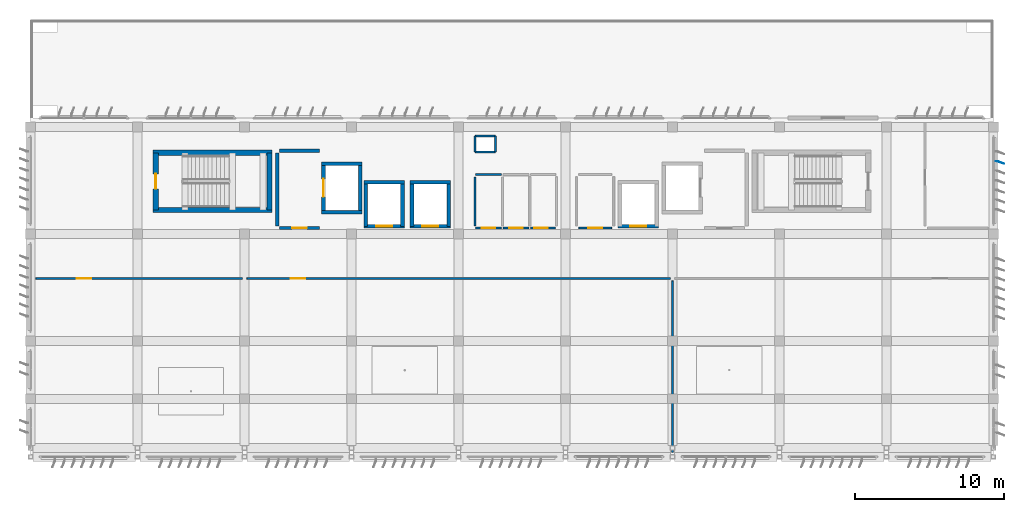
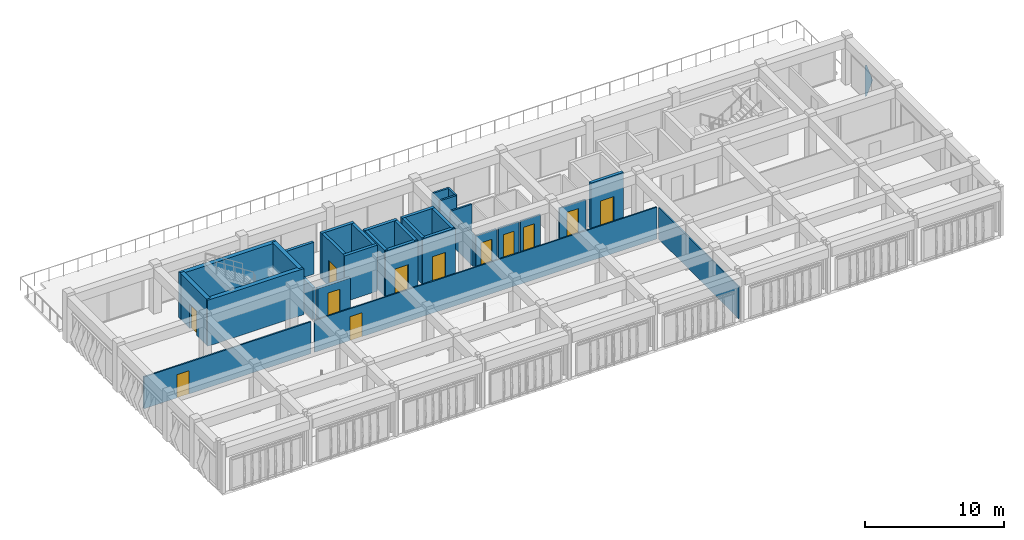
# One storey, part 29 of 42: 33 walls, 12 doors, 1 plate, 12 openings.
"""IFC4 building model written with IfcOpenShell, lengths in metres."""

from ifc_helpers import new_model, si_unit, direction, frame, frame_2d, origin, place, context, subcontext, project, spatial, rectangle, extrude, polygons, material, layer, layer_set, type_object, element, fill, save


model = new_model("IFC4")

# Units and contexts
model_context = context("Model", 3, precision=1e-05, world=origin(), true_north=direction((0.0, 1.0)))
body_context = subcontext(model_context, "Body", "Model", "MODEL_VIEW")
ifc_project = project(units=[si_unit("LENGTHUNIT", "METRE"), si_unit("AREAUNIT", "SQUARE_METRE"), si_unit("VOLUMEUNIT", "CUBIC_METRE"), si_unit("PLANEANGLEUNIT", "RADIAN"), si_unit("MASSUNIT", "GRAM", prefix="KILO")], contexts=[model_context])

# Site, building, storey
site_placement = place(None, origin())
site = spatial("IfcSite", under=ifc_project, at=site_placement, CompositionType="ELEMENT")
building_placement = place(site_placement, origin())
building = spatial("IfcBuilding", under=site, at=building_placement, Name="Kazehaya Institute of Natural Sciences", CompositionType="ELEMENT")
storey_placement = place(building_placement, frame((0.0, 0.0, 37.6201171875)))
storey = spatial("IfcBuildingStorey", under=building, at=storey_placement, Name="L08", CompositionType="ELEMENT", Elevation=37.6201171875)

# Plate
ifc_material_1 = material(Name="Bronze-anodised aluminium alloy A6063S-T5", Category="aluminium")
ifc_layer_1 = layer(ifc_material_1, 0.02001953125, Name="Bronze-anodised aluminium alloy A6063S-T5", Category="aluminium")
ifc_layer_set_1 = layer_set([ifc_layer_1], Name="Bronze-anodised aluminium alloy A6063S-T5")
plate_type = type_object("IfcPlateType", Name="FIN-DF-E1", PredefinedType="USERDEFINED", material=ifc_layer_set_1)
plate_placement = place(storey_placement, origin())
element("IfcPlate", 1, at=plate_placement, inside=storey, type_object=plate_type, Name="L08 folded diamond-pyramid shading fin FIN-L08-E-0835", ObjectType="SHADING_FIN", PredefinedType="USERDEFINED", context=body_context, shape_type="Tessellation", body=[
    polygons([(119.554931640625, 26.110107421875, 0.039794921875), (119.699951171875, 26.110107421875, 0.039794921875), (120.110107421875, 25.931396484375, 1.409912109375), (119.699951171875, 26.110107421875, 2.77978515625), (119.554931640625, 26.110107421875, 2.77978515625), (119.554931640625, 26.090087890625, 0.039794921875), (119.699951171875, 26.090087890625, 0.039794921875), (120.110107421875, 25.911376953125, 1.409912109375), (119.699951171875, 26.090087890625, 2.77978515625), (119.554931640625, 26.090087890625, 2.77978515625)], [[[1, 5, 4, 3, 2]], [[6, 7, 8, 9, 10]], [[1, 2, 7, 6]], [[2, 3, 8, 7]], [[3, 4, 9, 8]], [[4, 5, 10, 9]], [[5, 1, 6, 10]]], closed=True),
])

# Walls
ifc_material_2 = material(Name="Concrete Fc42", Category="concrete")
ifc_layer_2 = layer(ifc_material_2, 0.35009765625, Name="Concrete Fc42", Category="concrete")
ifc_layer_set_2 = layer_set([ifc_layer_2], Name="Concrete Fc42")
wall_type_1 = type_object("IfcWallType", Name="WL-CORE-350", PredefinedType="SHEAR", material=ifc_layer_set_2)
for number, where, z_axis, x_axis, name in (
    (2, (70.85498046875, 22.820068359375, 0.0), (0.0, 0.0, 1.0), (-1.0, 0.0, 0.0), "L08 ST-1 core wall S"),
    (3, (62.844970703125, 26.659912109375, 0.0), (0.0, 0.0, 1.0), (1.0, 0.0, 0.0), "L08 ST-1 core wall N"),
):
    element("IfcWall", number, at=place(storey_placement, frame(where, z_axis=z_axis, x_axis=x_axis)), inside=storey, type_object=wall_type_1, Name=name, PredefinedType="SHEAR", context=body_context, shape_type="SweptSolid", body=[
        extrude(rectangle(XDim=8.010009765625, YDim=0.35009765625, at=frame_2d((4.0048828125, 0.0))), origin(), (0.0, 0.0, 1.0), 4.0498046875),
    ])

# Wall, opening, door
wall_1_placement = place(storey_placement, frame((63.02001953125, 22.820068359375, 0.0), z_axis=(0.0, 0.0, 1.0), x_axis=(0.0, 1.0, 0.0)))
wall_1 = element("IfcWall", 4, at=wall_1_placement, inside=storey, type_object=wall_type_1, Name="L08 ST-1 core wall W", PredefinedType="SHEAR", context=body_context, shape_type="SweptSolid", body=[
    extrude(rectangle(XDim=3.83984375, YDim=0.35009765625, at=frame_2d((1.919921875, 0.0))), origin(), (0.0, 0.0, 1.0), 4.0498046875),
])
opening_1_placement = place(wall_1_placement, frame((1.409912109375, 0.0, 0.0)))
opening_1 = element("IfcOpeningElement", 5, at=opening_1_placement, cuts=wall_1, Name="Opening D-ST-010", PredefinedType="OPENING", context=body_context, shape_type="SweptSolid", body=[
    extrude(rectangle(XDim=1.02001953125, YDim=2.1201171875, at=frame_2d((0.510009765625, 1.06005859375))), frame((0.0, 0.18505859375, 0.0), z_axis=(0.0, -1.0, 0.0), x_axis=(1.0, 0.0, 0.0)), (0.0, 0.0, 1.0), 0.3701171875),
])
ifc_material_3 = material(Name="Fire-rated steel acoustic door", Category="steel")
door_type_1 = type_object("IfcDoorType", Name="DT-FD-11", OperationType="NOTDEFINED", PredefinedType="DOOR", material=ifc_material_3)
door_1_placement = place(opening_1_placement, origin())
door_1 = element("IfcDoor", 6, at=door_1_placement, inside=storey, type_object=door_type_1, Name="L08 ST-1 stair enclosure door D-ST-010", OperationType="SINGLE_SWING_RIGHT", OverallHeight=2.1201171875, OverallWidth=1.02001953125, PredefinedType="DOOR", context=body_context, shape_type="SweptSolid", body=[
    extrude(rectangle(XDim=1.02001953125, YDim=2.1201171875, at=frame_2d((0.510009765625, 1.06005859375))), frame((0.0, 0.02490234375, 0.0), z_axis=(0.0, -1.0, 0.0), x_axis=(1.0, 0.0, 0.0)), (0.0, 0.0, 1.0), 0.050048828125),
])
fill(opening_1, door_1)

# Wall
wall_2_placement = place(storey_placement, frame((70.679931640625, 26.659912109375, 0.0), z_axis=(0.0, 0.0, 1.0), x_axis=(0.0, -1.0, 0.0)))
element("IfcWall", 7, at=wall_2_placement, inside=storey, type_object=wall_type_1, Name="L08 ST-1 core wall E", PredefinedType="SHEAR", context=body_context, shape_type="SweptSolid", body=[
    extrude(rectangle(XDim=3.83984375, YDim=0.35009765625, at=frame_2d((1.919921875, 0.0))), origin(), (0.0, 0.0, 1.0), 4.0498046875),
])

# Wall, opening, door
ifc_material_4 = material(Name="Concrete Fc36", Category="concrete")
ifc_layer_3 = layer(ifc_material_4, 0.22998046875, Name="Concrete Fc36", Category="concrete")
ifc_layer_set_3 = layer_set([ifc_layer_3], Name="Concrete Fc36")
wall_type_2 = type_object("IfcWallType", Name="WL-FFL-230", PredefinedType="PARTITIONING", material=ifc_layer_set_3)
wall_3_placement = place(storey_placement, frame((74.050048828125, 21.60009765625, 0.0), z_axis=(0.0, 0.0, 1.0), x_axis=(-1.0, 0.0, 0.0)))
wall_3 = element("IfcWall", 8, at=wall_3_placement, inside=storey, type_object=wall_type_2, Name="L08 West Firefighting Lift Lobby partition IW-L08-0354", PredefinedType="PARTITIONING", context=body_context, shape_type="SweptSolid", body=[
    extrude(rectangle(XDim=2.699951171875, YDim=0.22998046875, at=frame_2d((1.35009765625, 0.0))), origin(), (0.0, 0.0, 1.0), 2.7998046875),
])
opening_2_placement = place(wall_3_placement, frame((0.860107421875, 0.0, 0.0)))
opening_2 = element("IfcOpeningElement", 9, at=opening_2_placement, cuts=wall_3, Name="Opening D-L08-0195", PredefinedType="OPENING", context=body_context, shape_type="SweptSolid", body=[
    extrude(rectangle(XDim=0.97998046875, YDim=2.1201171875, at=frame_2d((0.489990234375, 1.06005859375))), frame((0.0, 0.125, 0.0), z_axis=(0.0, -1.0, 0.0), x_axis=(1.0, 0.0, 0.0)), (0.0, 0.0, 1.0), 0.25),
])
door_type_2 = type_object("IfcDoorType", Name="DT-FD-08", OperationType="NOTDEFINED", PredefinedType="DOOR", material=ifc_material_3)
door_2_placement = place(opening_2_placement, origin())
door_2 = element("IfcDoor", 10, at=door_2_placement, inside=storey, type_object=door_type_2, Name="L08 West Firefighting Lift Lobby door D-L08-0195", OperationType="SINGLE_SWING_RIGHT", OverallHeight=2.1201171875, OverallWidth=0.97998046875, PredefinedType="DOOR", context=body_context, shape_type="SweptSolid", body=[
    extrude(rectangle(XDim=0.97998046875, YDim=2.1201171875, at=frame_2d((0.489990234375, 1.06005859375))), frame((0.0, 0.02490234375, 0.0), z_axis=(0.0, -1.0, 0.0), x_axis=(1.0, 0.0, 0.0)), (0.0, 0.0, 1.0), 0.050048828125),
])
fill(opening_2, door_2)

# Walls
wall_4_placement = place(storey_placement, frame((71.35009765625, 26.800048828125, 0.0), z_axis=(0.0, 0.0, 1.0), x_axis=(1.0, 0.0, 0.0)))
element("IfcWall", 11, at=wall_4_placement, inside=storey, type_object=wall_type_2, Name="L08 West Firefighting Lift Lobby partition IW-L08-0355", PredefinedType="PARTITIONING", context=body_context, shape_type="SweptSolid", body=[
    extrude(rectangle(XDim=2.699951171875, YDim=0.22998046875, at=frame_2d((1.35009765625, 0.0))), origin(), (0.0, 0.0, 1.0), 2.7998046875),
])
wall_5_placement = place(storey_placement, frame((71.199951171875, 21.75, 0.0), z_axis=(0.0, 0.0, 1.0), x_axis=(0.0, 1.0, 0.0)))
element("IfcWall", 12, at=wall_5_placement, inside=storey, type_object=wall_type_2, Name="L08 West Firefighting Lift Lobby partition IW-L08-0356", PredefinedType="PARTITIONING", context=body_context, shape_type="SweptSolid", body=[
    extrude(rectangle(XDim=4.89990234375, YDim=0.22998046875, at=frame_2d((2.449951171875, 0.0))), origin(), (0.0, 0.0, 1.0), 2.7998046875),
])

# Wall, opening, door
ifc_material_5 = material(Name="Glazed office demountable partition")
ifc_layer_4 = layer(ifc_material_5, 0.110107421875, Name="Glazed office demountable partition")
ifc_layer_set_4 = layer_set([ifc_layer_4], Name="Glazed office demountable partition")
wall_type_3 = type_object("IfcWallType", Name="WL-PART-110", PredefinedType="PARTITIONING", material=ifc_layer_set_4)
wall_6_placement = place(storey_placement, frame((93.699951171875, 21.60009765625, 0.0), z_axis=(0.0, 0.0, 1.0), x_axis=(-1.0, 0.0, 0.0)))
wall_6 = element("IfcWall", 13, at=wall_6_placement, inside=storey, type_object=wall_type_3, Name="L08 Ostomate WC partition IW-L08-0370", PredefinedType="PARTITIONING", context=body_context, shape_type="SweptSolid", body=[
    extrude(rectangle(XDim=2.199951171875, YDim=0.110107421875, at=frame_2d((1.10009765625, 0.0))), origin(), (0.0, 0.0, 1.0), 2.7998046875),
])
opening_3_placement = place(wall_6_placement, frame((0.6201171875, 0.0, 0.0)))
opening_3 = element("IfcOpeningElement", 14, at=opening_3_placement, cuts=wall_6, Name="Opening D-L08-0200", PredefinedType="OPENING", context=body_context, shape_type="SweptSolid", body=[
    extrude(rectangle(XDim=0.9599609375, YDim=2.219970703125, at=frame_2d((0.47998046875, 1.10986328125))), frame((0.0, 0.06494140625, 0.0), z_axis=(0.0, -1.0, 0.0), x_axis=(1.0, 0.0, 0.0)), (0.0, 0.0, 1.0), 0.130126953125),
])
ifc_material_6 = material(Name="Flush timber and aluminium laboratory door", Category="wood")
door_type_3 = type_object("IfcDoorType", Name="DT-INT-12", OperationType="NOTDEFINED", PredefinedType="DOOR", material=ifc_material_6)
door_3_placement = place(opening_3_placement, origin())
door_3 = element("IfcDoor", 15, at=door_3_placement, inside=storey, type_object=door_type_3, Name="L08 Ostomate WC door D-L08-0200", OperationType="SINGLE_SWING_LEFT", OverallHeight=2.219970703125, OverallWidth=0.9599609375, PredefinedType="DOOR", context=body_context, shape_type="SweptSolid", body=[
    extrude(rectangle(XDim=0.9599609375, YDim=2.219970703125, at=frame_2d((0.47998046875, 1.10986328125))), frame((0.0, 0.02490234375, 0.0), z_axis=(0.0, -1.0, 0.0), x_axis=(1.0, 0.0, 0.0)), (0.0, 0.0, 1.0), 0.050048828125),
])
fill(opening_3, door_3)

wall_7_placement = place(storey_placement, frame((69.14990234375, 18.199951171875, 0.0), z_axis=(0.0, 0.0, 1.0), x_axis=(1.0, 0.0, 0.0)))
wall_7 = element("IfcWall", 16, at=wall_7_placement, inside=storey, type_object=wall_type_3, Name="L08 Structural Biology Suite partition IW-L08-0375", PredefinedType="PARTITIONING", context=body_context, shape_type="SweptSolid", body=[
    extrude(rectangle(XDim=28.5, YDim=0.110107421875, at=frame_2d((14.25, 0.0))), origin(), (0.0, 0.0, 1.0), 2.7998046875),
])
opening_4_placement = place(wall_7_placement, frame((2.955078125, 0.0, 0.0)))
opening_4 = element("IfcOpeningElement", 17, at=opening_4_placement, cuts=wall_7, Name="Opening D-L08-0202", PredefinedType="OPENING", context=body_context, shape_type="SweptSolid", body=[
    extrude(rectangle(XDim=0.989990234375, YDim=2.10009765625, at=frame_2d((0.4951171875, 1.050048828125))), frame((0.0, 0.06494140625, 0.0), z_axis=(0.0, -1.0, 0.0), x_axis=(1.0, 0.0, 0.0)), (0.0, 0.0, 1.0), 0.130126953125),
])
door_type_4 = type_object("IfcDoorType", Name="DT-INT-14", OperationType="NOTDEFINED", PredefinedType="DOOR", material=ifc_material_6)
door_4_placement = place(opening_4_placement, origin())
door_4 = element("IfcDoor", 18, at=door_4_placement, inside=storey, type_object=door_type_4, Name="L08 Structural Biology Suite door D-L08-0202", OperationType="SINGLE_SWING_LEFT", OverallHeight=2.10009765625, OverallWidth=0.989990234375, PredefinedType="DOOR", context=body_context, shape_type="SweptSolid", body=[
    extrude(rectangle(XDim=0.989990234375, YDim=2.10009765625, at=frame_2d((0.4951171875, 1.050048828125))), frame((0.0, 0.02490234375, 0.0), z_axis=(0.0, -1.0, 0.0), x_axis=(1.0, 0.0, 0.0)), (0.0, 0.0, 1.0), 0.050048828125),
])
fill(opening_4, door_4)

# Wall
wall_8_placement = place(storey_placement, frame((97.800048828125, 18.050048828125, 0.0), z_axis=(0.0, 0.0, 1.0), x_axis=(0.0, -1.0, 0.0)))
element("IfcWall", 19, at=wall_8_placement, inside=storey, type_object=wall_type_3, Name="L08 Structural Biology Suite partition IW-L08-0376", PredefinedType="PARTITIONING", context=body_context, shape_type="SweptSolid", body=[
    extrude(rectangle(XDim=11.550048828125, YDim=0.110107421875, at=frame_2d((5.77490234375, 0.0))), origin(), (0.0, 0.0, 1.0), 2.7998046875),
])

# Wall, opening, door
ifc_material_7 = material(Name="Gypsum write-up office partition", Category="gypsum")
ifc_layer_5 = layer(ifc_material_7, 0.1201171875, Name="Gypsum write-up office partition", Category="gypsum")
ifc_layer_set_5 = layer_set([ifc_layer_5], Name="Gypsum write-up office partition")
wall_type_4 = type_object("IfcWallType", Name="WL-PART-120", PredefinedType="PARTITIONING", material=ifc_layer_set_5)
wall_9_placement = place(storey_placement, frame((89.93994140625, 21.60009765625, 0.0), z_axis=(0.0, 0.0, 1.0), x_axis=(-1.0, 0.0, 0.0)))
wall_9 = element("IfcWall", 20, at=wall_9_placement, inside=storey, type_object=wall_type_4, Name="L08 Accessible WC partition IW-L08-0367", PredefinedType="PARTITIONING", context=body_context, shape_type="SweptSolid", body=[
    extrude(rectangle(XDim=1.679931640625, YDim=0.1201171875, at=frame_2d((0.83984375, 0.0))), origin(), (0.0, 0.0, 1.0), 2.7998046875),
])
opening_5_placement = place(wall_9_placement, frame((0.5400390625, 0.0, 0.0)))
opening_5 = element("IfcOpeningElement", 21, at=opening_5_placement, cuts=wall_9, Name="Opening D-L08-0199", PredefinedType="OPENING", context=body_context, shape_type="SweptSolid", body=[
    extrude(rectangle(XDim=0.89990234375, YDim=2.159912109375, at=frame_2d((0.449951171875, 1.080078125))), frame((0.0, 0.070068359375, 0.0), z_axis=(0.0, -1.0, 0.0), x_axis=(1.0, 0.0, 0.0)), (0.0, 0.0, 1.0), 0.14013671875),
])
door_type_5 = type_object("IfcDoorType", Name="DT-INT-03", OperationType="NOTDEFINED", PredefinedType="DOOR", material=ifc_material_6)
door_5_placement = place(opening_5_placement, origin())
door_5 = element("IfcDoor", 22, at=door_5_placement, inside=storey, type_object=door_type_5, Name="L08 Accessible WC door D-L08-0199", OperationType="SINGLE_SWING_RIGHT", OverallHeight=2.159912109375, OverallWidth=0.89990234375, PredefinedType="DOOR", context=body_context, shape_type="SweptSolid", body=[
    extrude(rectangle(XDim=0.89990234375, YDim=2.159912109375, at=frame_2d((0.449951171875, 1.080078125))), frame((0.0, 0.02490234375, 0.0), z_axis=(0.0, -1.0, 0.0), x_axis=(1.0, 0.0, 0.0)), (0.0, 0.0, 1.0), 0.050048828125),
])
fill(opening_5, door_5)

wall_10_placement = place(storey_placement, frame((54.949951171875, 18.199951171875, 0.0), z_axis=(0.0, 0.0, 1.0), x_axis=(1.0, 0.0, 0.0)))
wall_10 = element("IfcWall", 23, at=wall_10_placement, inside=storey, type_object=wall_type_4, Name="L08 Analytical Instrumentation Laboratory partition IW-L08-0374", PredefinedType="PARTITIONING", context=body_context, shape_type="SweptSolid", body=[
    extrude(rectangle(XDim=13.900146484375, YDim=0.1201171875, at=frame_2d((6.9501953125, 0.0))), origin(), (0.0, 0.0, 1.0), 2.7998046875),
])
opening_6_placement = place(wall_10_placement, frame((2.7548828125, 0.0, 0.0)))
opening_6 = element("IfcOpeningElement", 24, at=opening_6_placement, cuts=wall_10, Name="Opening D-L08-0201", PredefinedType="OPENING", context=body_context, shape_type="SweptSolid", body=[
    extrude(rectangle(XDim=0.989990234375, YDim=2.050048828125, at=frame_2d((0.4951171875, 1.02490234375))), frame((0.0, 0.070068359375, 0.0), z_axis=(0.0, -1.0, 0.0), x_axis=(1.0, 0.0, 0.0)), (0.0, 0.0, 1.0), 0.14013671875),
])
door_type_6 = type_object("IfcDoorType", Name="DT-INT-13", OperationType="NOTDEFINED", PredefinedType="DOOR", material=ifc_material_6)
door_6_placement = place(opening_6_placement, origin())
door_6 = element("IfcDoor", 25, at=door_6_placement, inside=storey, type_object=door_type_6, Name="L08 Analytical Instrumentation Laboratory door D-L08-0201", OperationType="SINGLE_SWING_RIGHT", OverallHeight=2.050048828125, OverallWidth=0.989990234375, PredefinedType="DOOR", context=body_context, shape_type="SweptSolid", body=[
    extrude(rectangle(XDim=0.989990234375, YDim=2.050048828125, at=frame_2d((0.4951171875, 1.02490234375))), frame((0.0, 0.02490234375, 0.0), z_axis=(0.0, -1.0, 0.0), x_axis=(1.0, 0.0, 0.0)), (0.0, 0.0, 1.0), 0.050048828125),
])
fill(opening_6, door_6)

ifc_material_8 = material(Name="Moisture-resistant WC partition")
ifc_layer_6 = layer(ifc_material_8, 0.1298828125, Name="Moisture-resistant WC partition")
ifc_layer_set_6 = layer_set([ifc_layer_6], Name="Moisture-resistant WC partition")
wall_type_5 = type_object("IfcWallType", Name="WL-PART-130", PredefinedType="PARTITIONING", material=ifc_layer_set_6)
wall_11_placement = place(storey_placement, frame((88.139892578125, 21.60009765625, 0.0), z_axis=(0.0, 0.0, 1.0), x_axis=(-1.0, 0.0, 0.0)))
wall_11 = element("IfcWall", 26, at=wall_11_placement, inside=storey, type_object=wall_type_5, Name="L08 Female WC partition IW-L08-0364", PredefinedType="PARTITIONING", context=body_context, shape_type="SweptSolid", body=[
    extrude(rectangle(XDim=1.72998046875, YDim=0.1298828125, at=frame_2d((0.864990234375, 0.0))), origin(), (0.0, 0.0, 1.0), 2.7998046875),
])
opening_7_placement = place(wall_11_placement, frame((0.419921875, 0.0, 0.0)))
opening_7 = element("IfcOpeningElement", 27, at=opening_7_placement, cuts=wall_11, Name="Opening D-L08-0198", PredefinedType="OPENING", context=body_context, shape_type="SweptSolid", body=[
    extrude(rectangle(XDim=0.89990234375, YDim=2.10009765625, at=frame_2d((0.449951171875, 1.050048828125))), frame((0.0, 0.074951171875, 0.0), z_axis=(0.0, -1.0, 0.0), x_axis=(1.0, 0.0, 0.0)), (0.0, 0.0, 1.0), 0.14990234375),
])
door_type_7 = type_object("IfcDoorType", Name="DT-INT-02", OperationType="NOTDEFINED", PredefinedType="DOOR", material=ifc_material_6)
door_7_placement = place(opening_7_placement, origin())
door_7 = element("IfcDoor", 28, at=door_7_placement, inside=storey, type_object=door_type_7, Name="L08 Female WC door D-L08-0198", OperationType="SINGLE_SWING_LEFT", OverallHeight=2.10009765625, OverallWidth=0.89990234375, PredefinedType="DOOR", context=body_context, shape_type="SweptSolid", body=[
    extrude(rectangle(XDim=0.89990234375, YDim=2.10009765625, at=frame_2d((0.449951171875, 1.050048828125))), frame((0.0, 0.02490234375, 0.0), z_axis=(0.0, -1.0, 0.0), x_axis=(1.0, 0.0, 0.0)), (0.0, 0.0, 1.0), 0.050048828125),
])
fill(opening_7, door_7)

ifc_material_9 = material(Name="Gypsum partition", Category="gypsum")
ifc_layer_7 = layer(ifc_material_9, 0.139892578125, Name="Gypsum partition", Category="gypsum")
ifc_layer_set_7 = layer_set([ifc_layer_7], Name="Gypsum partition")
wall_type_6 = type_object("IfcWallType", Name="WL-PART-140", PredefinedType="PARTITIONING", material=ifc_layer_set_7)
wall_12_placement = place(storey_placement, frame((86.2900390625, 21.60009765625, 0.0), z_axis=(0.0, 0.0, 1.0), x_axis=(-1.0, 0.0, 0.0)))
wall_12 = element("IfcWall", 29, at=wall_12_placement, inside=storey, type_object=wall_type_6, Name="L08 Male WC partition IW-L08-0360", PredefinedType="PARTITIONING", context=body_context, shape_type="SweptSolid", body=[
    extrude(rectangle(XDim=1.72998046875, YDim=0.139892578125, at=frame_2d((0.864990234375, 0.0))), origin(), (0.0, 0.0, 1.0), 2.7998046875),
])
opening_8_placement = place(wall_12_placement, frame((0.419921875, 0.0, 0.0)))
opening_8 = element("IfcOpeningElement", 30, at=opening_8_placement, cuts=wall_12, Name="Opening D-L08-0197", PredefinedType="OPENING", context=body_context, shape_type="SweptSolid", body=[
    extrude(rectangle(XDim=0.89990234375, YDim=2.050048828125, at=frame_2d((0.449951171875, 1.02490234375))), frame((0.0, 0.079833984375, 0.0), z_axis=(0.0, -1.0, 0.0), x_axis=(1.0, 0.0, 0.0)), (0.0, 0.0, 1.0), 0.159912109375),
])
door_type_8 = type_object("IfcDoorType", Name="DT-INT-01", OperationType="NOTDEFINED", PredefinedType="DOOR", material=ifc_material_6)
door_8_placement = place(opening_8_placement, origin())
door_8 = element("IfcDoor", 31, at=door_8_placement, inside=storey, type_object=door_type_8, Name="L08 Male WC door D-L08-0197", OperationType="SINGLE_SWING_RIGHT", OverallHeight=2.050048828125, OverallWidth=0.89990234375, PredefinedType="DOOR", context=body_context, shape_type="SweptSolid", body=[
    extrude(rectangle(XDim=0.89990234375, YDim=2.050048828125, at=frame_2d((0.449951171875, 1.02490234375))), frame((0.0, 0.02490234375, 0.0), z_axis=(0.0, -1.0, 0.0), x_axis=(1.0, 0.0, 0.0)), (0.0, 0.0, 1.0), 0.050048828125),
])
fill(opening_8, door_8)

# Walls
wall_13_placement = place(storey_placement, frame((84.56005859375, 25.199951171875, 0.0), z_axis=(0.0, 0.0, 1.0), x_axis=(1.0, 0.0, 0.0)))
element("IfcWall", 32, at=wall_13_placement, inside=storey, type_object=wall_type_6, Name="L08 Male WC partition IW-L08-0361", PredefinedType="PARTITIONING", context=body_context, shape_type="SweptSolid", body=[
    extrude(rectangle(XDim=1.72998046875, YDim=0.139892578125, at=frame_2d((0.864990234375, 0.0))), origin(), (0.0, 0.0, 1.0), 2.7998046875),
])
wall_14_placement = place(storey_placement, frame((84.5, 21.75, 0.0), z_axis=(0.0, 0.0, 1.0), x_axis=(0.0, 1.0, 0.0)))
element("IfcWall", 33, at=wall_14_placement, inside=storey, type_object=wall_type_6, Name="L08 Male WC partition IW-L08-0362", PredefinedType="PARTITIONING", context=body_context, shape_type="SweptSolid", body=[
    extrude(rectangle(XDim=3.300048828125, YDim=0.139892578125, at=frame_2d((1.64990234375, 0.0))), origin(), (0.0, 0.0, 1.0), 2.7998046875),
])
ifc_layer_8 = layer(ifc_material_4, 0.14990234375, Name="Concrete Fc36", Category="concrete")
ifc_layer_set_8 = layer_set([ifc_layer_8], Name="Concrete Fc36")
wall_type_7 = type_object("IfcWallType", Name="WL-RISER-150", PredefinedType="PARTITIONING", material=ifc_layer_set_8)
for number, where, z_axis, x_axis, name in (
    (34, (85.885009765625, 26.715087890625, 0.0), (0.0, 0.0, 1.0), (-1.0, 0.0, 0.0), "L08 fume exhaust riser shaft wall 46"),
    (35, (84.514892578125, 27.784912109375, 0.0), (0.0, 0.0, 1.0), (1.0, 0.0, 0.0), "L08 fume exhaust riser shaft wall 46"),
):
    element("IfcWall", number, at=place(storey_placement, frame(where, z_axis=z_axis, x_axis=x_axis)), inside=storey, type_object=wall_type_7, Name=name, PredefinedType="PARTITIONING", context=body_context, shape_type="SweptSolid", body=[
        extrude(rectangle(XDim=1.3701171875, YDim=0.14990234375, at=frame_2d((0.68505859375, 0.0))), origin(), (0.0, 0.0, 1.0), 2.7998046875),
    ])
for number, where, z_axis, x_axis, name in (
    (36, (84.514892578125, 26.715087890625, 0.0), (0.0, 0.0, 1.0), (0.0, 1.0, 0.0), "L08 fume exhaust riser shaft wall 46"),
    (37, (85.885009765625, 27.784912109375, 0.0), (0.0, 0.0, 1.0), (0.0, -1.0, 0.0), "L08 fume exhaust riser shaft wall 46"),
):
    element("IfcWall", number, at=place(storey_placement, frame(where, z_axis=z_axis, x_axis=x_axis)), inside=storey, type_object=wall_type_7, Name=name, PredefinedType="PARTITIONING", context=body_context, shape_type="SweptSolid", body=[
        extrude(rectangle(XDim=1.06982421875, YDim=0.14990234375, at=frame_2d((0.534912109375, 0.0))), origin(), (0.0, 0.0, 1.0), 2.7998046875),
    ])
ifc_layer_9 = layer(ifc_material_2, 0.25, Name="Concrete Fc42", Category="concrete")
ifc_layer_set_9 = layer_set([ifc_layer_9], Name="Concrete Fc42")
wall_type_8 = type_object("IfcWallType", Name="WL-SHAFT-250", PredefinedType="SHEAR", material=ifc_layer_set_9)
for number, where, z_axis, x_axis, name in (
    (38, (76.909912109375, 22.6650390625, 0.0), (0.0, 0.0, 1.0), (-1.0, 0.0, 0.0), "L08 EL07 lift shaft wall south"),
    (39, (74.18994140625, 25.93505859375, 0.0), (0.0, 0.0, 1.0), (1.0, 0.0, 0.0), "L08 EL07 lift shaft wall north"),
):
    element("IfcWall", number, at=place(storey_placement, frame(where, z_axis=z_axis, x_axis=x_axis)), inside=storey, type_object=wall_type_8, Name=name, PredefinedType="SHEAR", context=body_context, shape_type="SweptSolid", body=[
        extrude(rectangle(XDim=2.719970703125, YDim=0.25, at=frame_2d((1.35986328125, 0.0))), origin(), (0.0, 0.0, 1.0), 4.0498046875),
    ])

# Wall, opening, door
wall_15_placement = place(storey_placement, frame((74.31494140625, 22.6650390625, 0.0), z_axis=(0.0, 0.0, 1.0), x_axis=(0.0, 1.0, 0.0)))
wall_15 = element("IfcWall", 40, at=wall_15_placement, inside=storey, type_object=wall_type_8, Name="L08 EL07 lift shaft wall west", PredefinedType="SHEAR", context=body_context, shape_type="SweptSolid", body=[
    extrude(rectangle(XDim=3.27001953125, YDim=0.25, at=frame_2d((1.635009765625, 0.0))), origin(), (0.0, 0.0, 1.0), 4.0498046875),
])
opening_9_placement = place(wall_15_placement, frame((1.034912109375, 0.0, 0.0)))
opening_9 = element("IfcOpeningElement", 41, at=opening_9_placement, cuts=wall_15, Name="Opening LD-10", PredefinedType="OPENING", context=body_context, shape_type="SweptSolid", body=[
    extrude(rectangle(XDim=1.199951171875, YDim=2.25, at=frame_2d((0.60009765625, 1.125))), frame((0.0, 0.135009765625, 0.0), z_axis=(0.0, -1.0, 0.0), x_axis=(1.0, 0.0, 0.0)), (0.0, 0.0, 1.0), 0.27001953125),
])
ifc_material_10 = material(Name="Stainless-steel emergency lift landing door", Category="steel")
door_type_9 = type_object("IfcDoorType", Name="DT-LD-1200x2250", OperationType="SLIDING_TO_LEFT", PredefinedType="DOOR", material=ifc_material_10)
door_9_placement = place(opening_9_placement, origin())
door_9 = element("IfcDoor", 42, at=door_9_placement, inside=storey, type_object=door_type_9, Name="L08 EL07 sliding landing door LD-10", OperationType="SLIDING_TO_LEFT", OverallHeight=2.25, OverallWidth=1.199951171875, PredefinedType="DOOR", context=body_context, shape_type="SweptSolid", body=[
    extrude(rectangle(XDim=1.199951171875, YDim=2.25, at=frame_2d((0.60009765625, 1.125))), frame((0.0, 0.02490234375, 0.0), z_axis=(0.0, -1.0, 0.0), x_axis=(1.0, 0.0, 0.0)), (0.0, 0.0, 1.0), 0.050048828125),
])
fill(opening_9, door_9)

# Wall
wall_16_placement = place(storey_placement, frame((76.784912109375, 25.93505859375, 0.0), z_axis=(0.0, 0.0, 1.0), x_axis=(0.0, -1.0, 0.0)))
element("IfcWall", 43, at=wall_16_placement, inside=storey, type_object=wall_type_8, Name="L08 EL07 lift shaft wall east", PredefinedType="SHEAR", context=body_context, shape_type="SweptSolid", body=[
    extrude(rectangle(XDim=3.27001953125, YDim=0.25, at=frame_2d((1.635009765625, 0.0))), origin(), (0.0, 0.0, 1.0), 4.0498046875),
])

# Wall, opening, door
wall_17_placement = place(storey_placement, frame((79.760009765625, 21.715087890625, 0.0), z_axis=(0.0, 0.0, 1.0), x_axis=(-1.0, 0.0, 0.0)))
wall_17 = element("IfcWall", 44, at=wall_17_placement, inside=storey, type_object=wall_type_8, Name="L08 EL01 lift shaft wall south", PredefinedType="SHEAR", context=body_context, shape_type="SweptSolid", body=[
    extrude(rectangle(XDim=2.719970703125, YDim=0.25, at=frame_2d((1.35986328125, 0.0))), origin(), (0.0, 0.0, 1.0), 4.0498046875),
])
opening_10_placement = place(wall_17_placement, frame((0.81005859375, 0.0, 0.0)))
opening_10 = element("IfcOpeningElement", 45, at=opening_10_placement, cuts=wall_17, Name="Opening LD-32", PredefinedType="OPENING", context=body_context, shape_type="SweptSolid", body=[
    extrude(rectangle(XDim=1.10009765625, YDim=2.199951171875, at=frame_2d((0.550048828125, 1.10009765625))), frame((0.0, 0.135009765625, 0.0), z_axis=(0.0, -1.0, 0.0), x_axis=(1.0, 0.0, 0.0)), (0.0, 0.0, 1.0), 0.27001953125),
])
ifc_material_11 = material(Name="Stainless-steel sliding landing door", Category="steel")
door_type_10 = type_object("IfcDoorType", Name="DT-LD-1100x2200", OperationType="SLIDING_TO_LEFT", PredefinedType="DOOR", material=ifc_material_11)
door_10_placement = place(opening_10_placement, origin())
door_10 = element("IfcDoor", 46, at=door_10_placement, inside=storey, type_object=door_type_10, Name="L08 EL01 sliding landing door LD-32", OperationType="SLIDING_TO_LEFT", OverallHeight=2.199951171875, OverallWidth=1.10009765625, PredefinedType="DOOR", context=body_context, shape_type="SweptSolid", body=[
    extrude(rectangle(XDim=1.10009765625, YDim=2.199951171875, at=frame_2d((0.550048828125, 1.10009765625))), frame((0.0, 0.02490234375, 0.0), z_axis=(0.0, -1.0, 0.0), x_axis=(1.0, 0.0, 0.0)), (0.0, 0.0, 1.0), 0.050048828125),
])
fill(opening_10, door_10)

# Walls
wall_18_placement = place(storey_placement, frame((77.0400390625, 24.68505859375, 0.0), z_axis=(0.0, 0.0, 1.0), x_axis=(1.0, 0.0, 0.0)))
element("IfcWall", 47, at=wall_18_placement, inside=storey, type_object=wall_type_8, Name="L08 EL01 lift shaft wall north", PredefinedType="SHEAR", context=body_context, shape_type="SweptSolid", body=[
    extrude(rectangle(XDim=2.719970703125, YDim=0.25, at=frame_2d((1.35986328125, 0.0))), origin(), (0.0, 0.0, 1.0), 4.0498046875),
])
for number, where, z_axis, x_axis, name in (
    (48, (77.1650390625, 21.715087890625, 0.0), (0.0, 0.0, 1.0), (0.0, 1.0, 0.0), "L08 EL01 lift shaft wall west"),
    (49, (79.635009765625, 24.68505859375, 0.0), (0.0, 0.0, 1.0), (0.0, -1.0, 0.0), "L08 EL01 lift shaft wall east"),
):
    element("IfcWall", number, at=place(storey_placement, frame(where, z_axis=z_axis, x_axis=x_axis)), inside=storey, type_object=wall_type_8, Name=name, PredefinedType="SHEAR", context=body_context, shape_type="SweptSolid", body=[
        extrude(rectangle(XDim=2.969970703125, YDim=0.25, at=frame_2d((1.48486328125, 0.0))), origin(), (0.0, 0.0, 1.0), 4.0498046875),
    ])

# Wall, opening, door
wall_19_placement = place(storey_placement, frame((82.860107421875, 21.715087890625, 0.0), z_axis=(0.0, 0.0, 1.0), x_axis=(-1.0, 0.0, 0.0)))
wall_19 = element("IfcWall", 50, at=wall_19_placement, inside=storey, type_object=wall_type_8, Name="L08 EL02 lift shaft wall south", PredefinedType="SHEAR", context=body_context, shape_type="SweptSolid", body=[
    extrude(rectangle(XDim=2.72021484375, YDim=0.25, at=frame_2d((1.360107421875, 0.0))), origin(), (0.0, 0.0, 1.0), 4.0498046875),
])
opening_11_placement = place(wall_19_placement, frame((0.81005859375, 0.0, 0.0)))
opening_11 = element("IfcOpeningElement", 51, at=opening_11_placement, cuts=wall_19, Name="Opening LD-43", PredefinedType="OPENING", context=body_context, shape_type="SweptSolid", body=[
    extrude(rectangle(XDim=1.10009765625, YDim=2.199951171875, at=frame_2d((0.550048828125, 1.10009765625))), frame((0.0, 0.135009765625, 0.0), z_axis=(0.0, -1.0, 0.0), x_axis=(1.0, 0.0, 0.0)), (0.0, 0.0, 1.0), 0.27001953125),
])
door_11_placement = place(opening_11_placement, origin())
door_11 = element("IfcDoor", 52, at=door_11_placement, inside=storey, type_object=door_type_10, Name="L08 EL02 sliding landing door LD-43", OperationType="SLIDING_TO_LEFT", OverallHeight=2.199951171875, OverallWidth=1.10009765625, PredefinedType="DOOR", context=body_context, shape_type="SweptSolid", body=[
    extrude(rectangle(XDim=1.10009765625, YDim=2.199951171875, at=frame_2d((0.550048828125, 1.10009765625))), frame((0.0, 0.02490234375, 0.0), z_axis=(0.0, -1.0, 0.0), x_axis=(1.0, 0.0, 0.0)), (0.0, 0.0, 1.0), 0.050048828125),
])
fill(opening_11, door_11)

# Walls
wall_20_placement = place(storey_placement, frame((80.139892578125, 24.68505859375, 0.0), z_axis=(0.0, 0.0, 1.0), x_axis=(1.0, 0.0, 0.0)))
element("IfcWall", 53, at=wall_20_placement, inside=storey, type_object=wall_type_8, Name="L08 EL02 lift shaft wall north", PredefinedType="SHEAR", context=body_context, shape_type="SweptSolid", body=[
    extrude(rectangle(XDim=2.72021484375, YDim=0.25, at=frame_2d((1.360107421875, 0.0))), origin(), (0.0, 0.0, 1.0), 4.0498046875),
])
for number, where, z_axis, x_axis, name in (
    (54, (80.264892578125, 21.715087890625, 0.0), (0.0, 0.0, 1.0), (0.0, 1.0, 0.0), "L08 EL02 lift shaft wall west"),
    (55, (82.735107421875, 24.68505859375, 0.0), (0.0, 0.0, 1.0), (0.0, -1.0, 0.0), "L08 EL02 lift shaft wall east"),
):
    element("IfcWall", number, at=place(storey_placement, frame(where, z_axis=z_axis, x_axis=x_axis)), inside=storey, type_object=wall_type_8, Name=name, PredefinedType="SHEAR", context=body_context, shape_type="SweptSolid", body=[
        extrude(rectangle(XDim=2.969970703125, YDim=0.25, at=frame_2d((1.48486328125, 0.0))), origin(), (0.0, 0.0, 1.0), 4.0498046875),
    ])

# Wall, opening, door
wall_21_placement = place(storey_placement, frame((96.860107421875, 21.715087890625, 0.0), z_axis=(0.0, 0.0, 1.0), x_axis=(-1.0, 0.0, 0.0)))
wall_21 = element("IfcWall", 56, at=wall_21_placement, inside=storey, type_object=wall_type_8, Name="L08 EL03 lift shaft wall south", PredefinedType="SHEAR", context=body_context, shape_type="SweptSolid", body=[
    extrude(rectangle(XDim=2.72021484375, YDim=0.25, at=frame_2d((1.360107421875, 0.0))), origin(), (0.0, 0.0, 1.0), 4.0498046875),
])
opening_12_placement = place(wall_21_placement, frame((0.81005859375, 0.0, 0.0)))
opening_12 = element("IfcOpeningElement", 57, at=opening_12_placement, cuts=wall_21, Name="Opening LD-54", PredefinedType="OPENING", context=body_context, shape_type="SweptSolid", body=[
    extrude(rectangle(XDim=1.10009765625, YDim=2.199951171875, at=frame_2d((0.550048828125, 1.10009765625))), frame((0.0, 0.135009765625, 0.0), z_axis=(0.0, -1.0, 0.0), x_axis=(1.0, 0.0, 0.0)), (0.0, 0.0, 1.0), 0.27001953125),
])
door_12_placement = place(opening_12_placement, origin())
door_12 = element("IfcDoor", 58, at=door_12_placement, inside=storey, type_object=door_type_10, Name="L08 EL03 sliding landing door LD-54", OperationType="SLIDING_TO_LEFT", OverallHeight=2.199951171875, OverallWidth=1.10009765625, PredefinedType="DOOR", context=body_context, shape_type="SweptSolid", body=[
    extrude(rectangle(XDim=1.10009765625, YDim=2.199951171875, at=frame_2d((0.550048828125, 1.10009765625))), frame((0.0, 0.02490234375, 0.0), z_axis=(0.0, -1.0, 0.0), x_axis=(1.0, 0.0, 0.0)), (0.0, 0.0, 1.0), 0.050048828125),
])
fill(opening_12, door_12)

save(model, "model.ifc")
